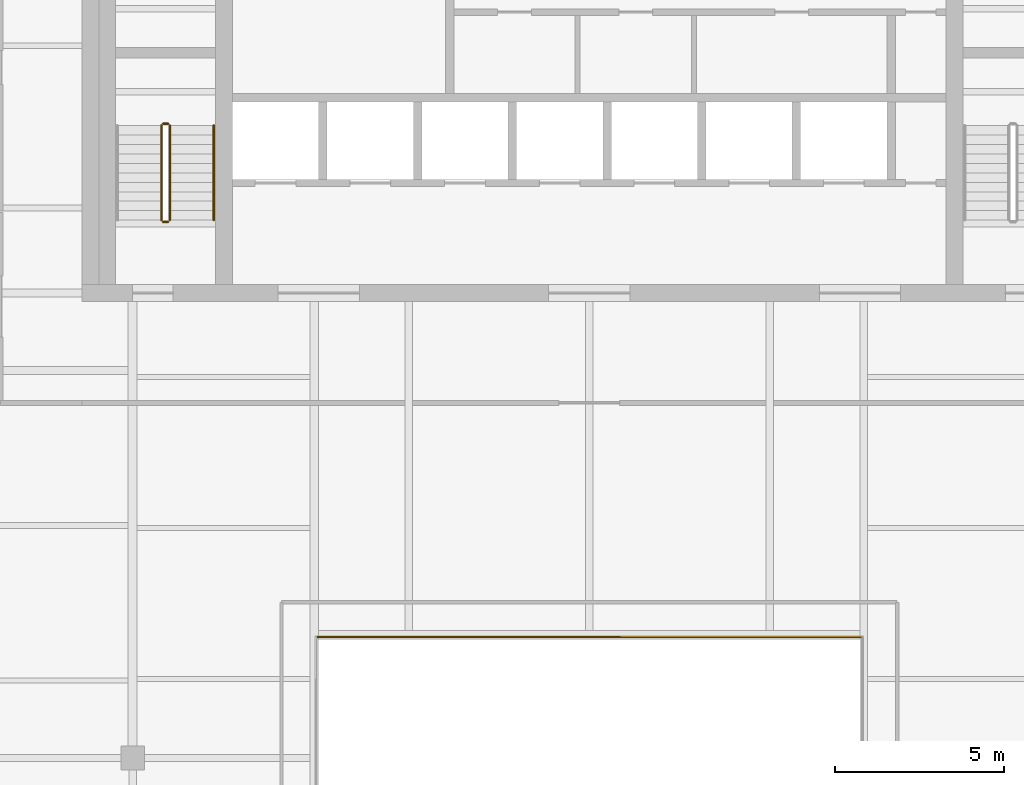
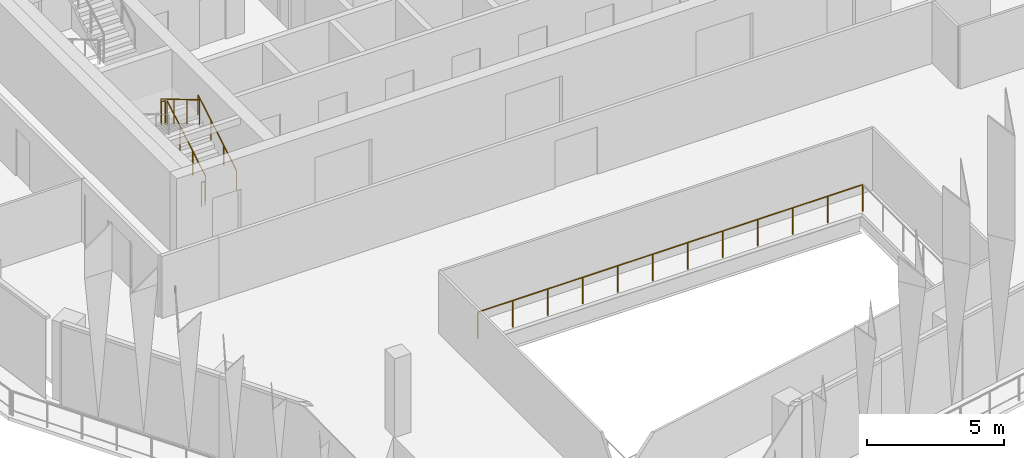
# One storey, part 12 of 21: 6 railings.
"""IFC4 building model written with IfcOpenShell, lengths in metres."""

from ifc_helpers import new_model, si_unit, direction, frame, origin, origin_2d, place, context, subcontext, project, spatial, circle, extrude, material, type_object, element, save


model = new_model("IFC4")

# Units and contexts
model_context = context("Model", 3, precision=1e-05, world=origin(), true_north=direction((0.0, 1.0)))
body_context = subcontext(model_context, "Body", "Model", "MODEL_VIEW")
ifc_project = project(units=[si_unit("LENGTHUNIT", "METRE"), si_unit("AREAUNIT", "SQUARE_METRE"), si_unit("VOLUMEUNIT", "CUBIC_METRE"), si_unit("PLANEANGLEUNIT", "RADIAN"), si_unit("MASSUNIT", "GRAM", prefix="KILO")], contexts=[model_context])

# Site, building, storey
site_placement = place(None, origin())
site = spatial("IfcSite", under=ifc_project, at=site_placement, CompositionType="ELEMENT")
building_placement = place(site_placement, origin())
building = spatial("IfcBuilding", under=site, at=building_placement, Name="Isthmus Gate Tower", CompositionType="ELEMENT")
storey_placement = place(building_placement, frame((0.0, 0.0, 260.949951171875)))
storey = spatial("IfcBuildingStorey", under=building, at=storey_placement, Name="L66", CompositionType="ELEMENT", Elevation=260.949951171875)

# Railings
ifc_material_1 = material(Name="Laminated toughened glass balustrade with steel rail", Category="steel")
railing_type_1 = type_object("IfcRailingType", Name="ATRIUM GUARD GLASS BALUSTRADE 1200", PredefinedType="GUARDRAIL", material=ifc_material_1)
railing_1_placement = place(storey_placement, frame((-8.080078125, -9.919921875, 0.0)))
element("IfcRailing", 1, at=railing_1_placement, inside=storey, type_object=railing_type_1, Name="L66 atrium guard", PredefinedType="GUARDRAIL", context=body_context, shape_type="SweptSolid", body=[
    extrude(circle(Radius=0.02490234375, at=origin_2d()), frame((0.0, 0.0, 1.1748046875), z_axis=(1.0, 0.0, 0.0), x_axis=(0.0, 1.0, 0.0)), (0.0, 0.0, 1.0), 16.16015625),
    extrude(circle(Radius=0.02490234375, at=origin_2d()), origin(), (0.0, 0.0, 1.0), 1.14990234375),
    extrude(circle(Radius=0.02490234375, at=origin_2d()), frame((1.468994140625, 0.0, 0.0)), (0.0, 0.0, 1.0), 1.14990234375),
    extrude(circle(Radius=0.02490234375, at=origin_2d()), frame((2.938232421875, 0.0, 0.0)), (0.0, 0.0, 1.0), 1.14990234375),
    extrude(circle(Radius=0.02490234375, at=origin_2d()), frame((4.4072265625, 0.0, 0.0)), (0.0, 0.0, 1.0), 1.14990234375),
    extrude(circle(Radius=0.02490234375, at=origin_2d()), frame((5.87646484375, 0.0, 0.0)), (0.0, 0.0, 1.0), 1.14990234375),
    extrude(circle(Radius=0.02490234375, at=origin_2d()), frame((7.345458984375, 0.0, 0.0)), (0.0, 0.0, 1.0), 1.14990234375),
    extrude(circle(Radius=0.02490234375, at=origin_2d()), frame((8.814697265625, 0.0, 0.0)), (0.0, 0.0, 1.0), 1.14990234375),
    extrude(circle(Radius=0.02490234375, at=origin_2d()), frame((10.28369140625, 0.0, 0.0)), (0.0, 0.0, 1.0), 1.14990234375),
    extrude(circle(Radius=0.02490234375, at=origin_2d()), frame((11.7529296875, 0.0, 0.0)), (0.0, 0.0, 1.0), 1.14990234375),
    extrude(circle(Radius=0.02490234375, at=origin_2d()), frame((13.221923828125, 0.0, 0.0)), (0.0, 0.0, 1.0), 1.14990234375),
    extrude(circle(Radius=0.02490234375, at=origin_2d()), frame((14.691162109375, 0.0, 0.0)), (0.0, 0.0, 1.0), 1.14990234375),
    extrude(circle(Radius=0.02490234375, at=origin_2d()), frame((16.16015625, 0.0, 0.0)), (0.0, 0.0, 1.0), 1.14990234375),
])
ifc_material_2 = material(Name="Stainless steel balustrade", Category="steel")
railing_type_2 = type_object("IfcRailingType", Name="STAIR GUARD 1100", PredefinedType="GUARDRAIL", material=ifc_material_2)
railing_2_placement = place(storey_placement, frame((-12.39990234375, 2.39990234375, 0.166015625)))
element("IfcRailing", 2, at=railing_2_placement, inside=storey, type_object=railing_type_2, Name="L66 ST7 stair guard 1", PredefinedType="GUARDRAIL", context=body_context, shape_type="SweptSolid", body=[
    extrude(circle(Radius=0.02392578125, at=origin_2d()), frame((0.0, 0.0, 1.076171875), z_axis=(0.0, 0.860339051648, 0.50972219513), x_axis=(-1.0, 0.0, 0.0)), (0.0, 0.0, 1.0), 3.254638671875),
    extrude(circle(Radius=0.02099609375, at=origin_2d()), origin(), (0.0, 0.0, 1.0), 1.052001953125),
    extrude(circle(Radius=0.02099609375, at=origin_2d()), frame((0.0, 0.933349609375, 0.552978515625)), (0.0, 0.0, 1.0), 1.052001953125),
    extrude(circle(Radius=0.02099609375, at=origin_2d()), frame((0.0, 1.86669921875, 1.10595703125)), (0.0, 0.0, 1.0), 1.052001953125),
    extrude(circle(Radius=0.02099609375, at=origin_2d()), frame((0.0, 2.800048828125, 1.658935546875)), (0.0, 0.0, 1.0), 1.052001953125),
])
railing_3_placement = place(storey_placement, frame((-12.449951171875, 5.25, 1.824951171875)))
element("IfcRailing", 3, at=railing_3_placement, inside=storey, type_object=railing_type_2, Name="L66 ST7 stair guard 2", PredefinedType="GUARDRAIL", context=body_context, shape_type="SweptSolid", body=[
    extrude(circle(Radius=0.02392578125, at=origin_2d()), frame((0.0, 0.0, 1.076171875), z_axis=(-1.0, 0.0, 0.0), x_axis=(0.0, -1.0, 0.0)), (0.0, 0.0, 1.0), 0.150146484375),
    extrude(circle(Radius=0.02099609375, at=origin_2d()), origin(), (0.0, 0.0, 1.0), 1.052001953125),
    extrude(circle(Radius=0.02099609375, at=origin_2d()), frame((-0.150146484375, 0.0, 0.0)), (0.0, 0.0, 1.0), 1.052001953125),
])
railing_4_placement = place(storey_placement, frame((-12.64990234375, 5.199951171875, 1.990966796875)))
element("IfcRailing", 4, at=railing_4_placement, inside=storey, type_object=railing_type_2, Name="L66 ST7 stair guard 3", PredefinedType="GUARDRAIL", context=body_context, shape_type="SweptSolid", body=[
    extrude(circle(Radius=0.02392578125, at=origin_2d()), frame((0.0, 0.0, 1.076171875), z_axis=(0.0, -0.860306154799, 0.50977771628), x_axis=(1.0, 0.0, 0.0)), (0.0, 0.0, 1.0), 3.254638671875),
    extrude(circle(Radius=0.02099609375, at=origin_2d()), origin(), (0.0, 0.0, 1.0), 1.052001953125),
    extrude(circle(Radius=0.02099609375, at=origin_2d()), frame((0.0, -0.933349609375, 0.552978515625)), (0.0, 0.0, 1.0), 1.052001953125),
    extrude(circle(Radius=0.02099609375, at=origin_2d()), frame((0.0, -1.86669921875, 1.106201171875)), (0.0, 0.0, 1.0), 1.052001953125),
    extrude(circle(Radius=0.02099609375, at=origin_2d()), frame((0.0, -2.800048828125, 1.6591796875)), (0.0, 0.0, 1.0), 1.052001953125),
])
railing_5_placement = place(storey_placement, frame((-12.449951171875, 2.35009765625, 0.0)))
element("IfcRailing", 5, at=railing_5_placement, inside=storey, type_object=railing_type_2, Name="L66 ST7 stair guard 4", PredefinedType="GUARDRAIL", context=body_context, shape_type="SweptSolid", body=[
    extrude(circle(Radius=0.02392578125, at=origin_2d()), frame((0.0, 0.0, 1.076171875), z_axis=(-1.0, 0.0, 0.0), x_axis=(0.0, -1.0, 0.0)), (0.0, 0.0, 1.0), 0.150146484375),
    extrude(circle(Radius=0.02099609375, at=origin_2d()), origin(), (0.0, 0.0, 1.0), 1.052001953125),
    extrude(circle(Radius=0.02099609375, at=origin_2d()), frame((-0.150146484375, 0.0, 0.0)), (0.0, 0.0, 1.0), 1.052001953125),
])
ifc_material_3 = material(Name="Stainless steel handrail", Category="steel")
railing_type_3 = type_object("IfcRailingType", Name="STAIR HANDRAIL 900", PredefinedType="HANDRAIL", material=ifc_material_3)
railing_6_placement = place(storey_placement, frame((-11.10009765625, 2.39990234375, 0.166015625)))
element("IfcRailing", 6, at=railing_6_placement, inside=storey, type_object=railing_type_3, Name="L66 ST7 stair handrail 1", PredefinedType="HANDRAIL", context=body_context, shape_type="SweptSolid", body=[
    extrude(circle(Radius=0.02392578125, at=origin_2d()), frame((0.0, 0.0, 0.8759765625), z_axis=(0.0, 0.860339051648, 0.50972219513), x_axis=(-1.0, 0.0, 0.0)), (0.0, 0.0, 1.0), 3.254638671875),
    extrude(circle(Radius=0.02099609375, at=origin_2d()), origin(), (0.0, 0.0, 1.0), 0.851806640625),
    extrude(circle(Radius=0.02099609375, at=origin_2d()), frame((0.0, 0.933349609375, 0.552978515625)), (0.0, 0.0, 1.0), 0.851806640625),
    extrude(circle(Radius=0.02099609375, at=origin_2d()), frame((0.0, 1.86669921875, 1.10595703125)), (0.0, 0.0, 1.0), 0.851806640625),
    extrude(circle(Radius=0.02099609375, at=origin_2d()), frame((0.0, 2.800048828125, 1.658935546875)), (0.0, 0.0, 1.0), 0.851806640625),
])

save(model, "model.ifc")
